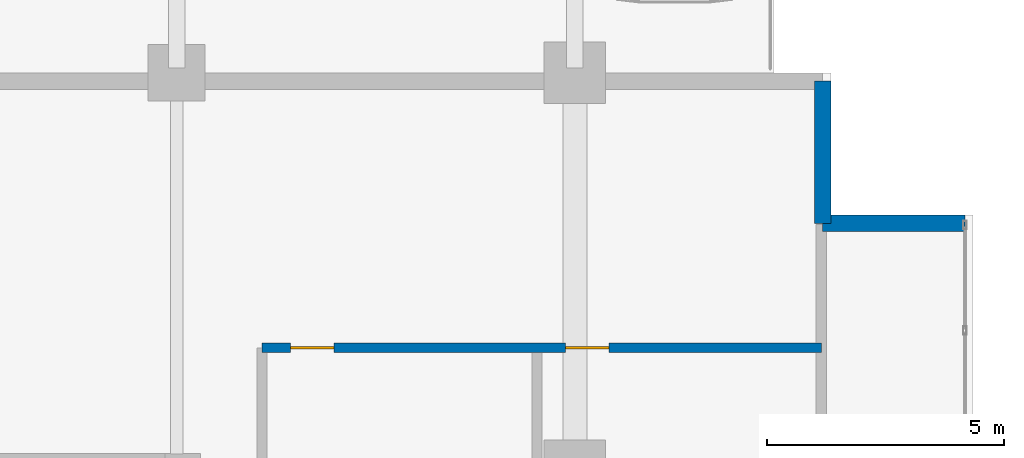
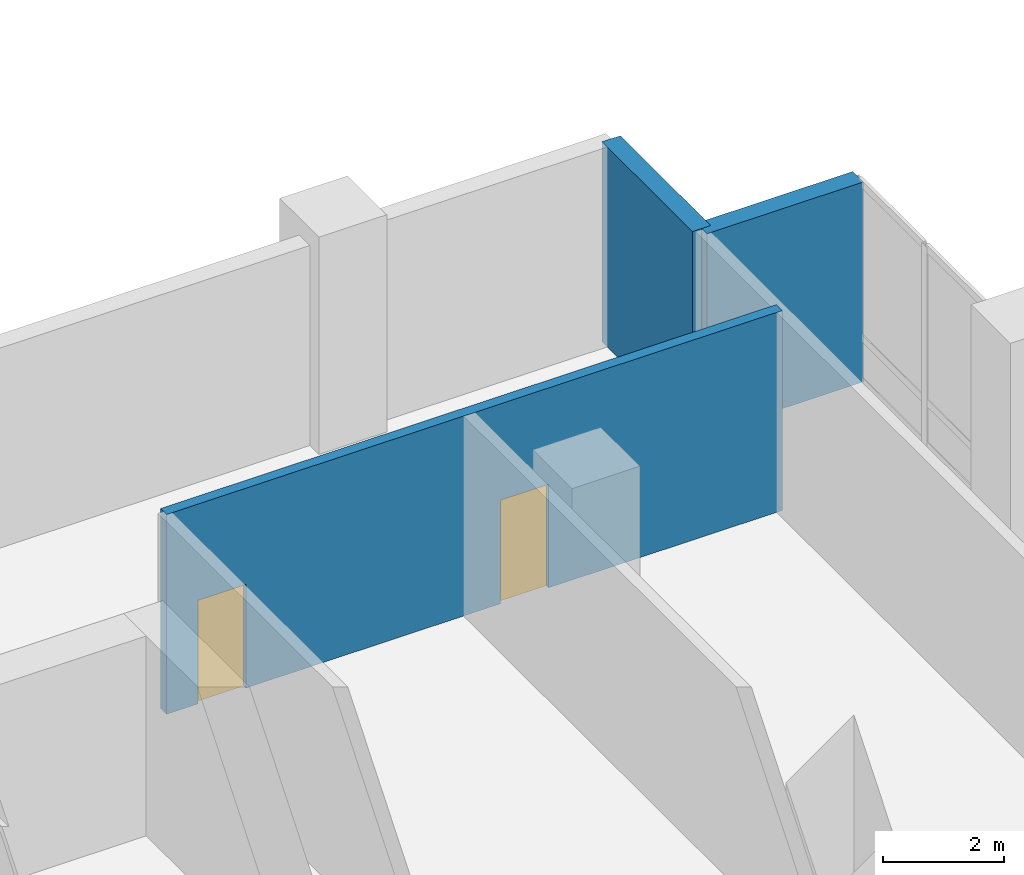
# One storey, part 17 of 24: 3 walls, 2 doors, 2 openings.
"""IFC4 building model written with IfcOpenShell, lengths in metres."""

import ifcopenshell
import ifcopenshell.guid

model = None  # the IFC model being written
_history = None  # IfcOwnerHistory: only IFC2X3 demands one
_inside = {}  # id of a spatial element -> (the spatial element, [elements in it])
_under = {}  # id of a project, library or spatial element -> (it, [spatial elements below it])
_declared = {}  # id of a project -> (the project, [libraries it declares])
_typed = {}  # id of a type object -> (the type object, [elements of that type])
_made_of = {}  # id of a material, layer set ... -> (it, [elements and type objects made of it])


def new_model(schema):
    """Start an empty IFC model of exactly this schema.

    Asked for "IFC4X3", IfcOpenShell would pick the latest addendum, in which some entities
    have other attributes; the version numbers below select the first issue.
    IFC2X3 requires an IfcOwnerHistory on every rooted entity: one is made here for all.
    """
    global model, _history
    if schema == "IFC4X3":
        model = ifcopenshell.file(schema_version=(4, 3, 0, 0))
    else:
        model = ifcopenshell.file(schema=schema)
    _inside.clear()
    _under.clear()
    _declared.clear()
    _typed.clear()
    _made_of.clear()
    _history = None
    if model.schema == "IFC2X3":
        org = make("IfcOrganization", Name="unknown")
        user = make(
            "IfcPersonAndOrganization",
            ThePerson=make("IfcPerson", FamilyName="unknown"),
            TheOrganization=org,
        )
        app = make(
            "IfcApplication",
            ApplicationDeveloper=org,
            Version="unknown",
            ApplicationFullName="unknown",
            ApplicationIdentifier="unknown",
        )
        _history = make(
            "IfcOwnerHistory",
            OwningUser=user,
            OwningApplication=app,
            ChangeAction="ADDED",
            CreationDate=0,
        )
    return model


def make(cls, **values):
    """One entity of the class cls with the attributes given. An attribute that is None is left unset."""
    return model.create_entity(
        cls, **{name: value for name, value in values.items() if value is not None}
    )


def rooted(cls, **values):
    """An entity with a GlobalId (a new one), such as an element, a storey or a relation."""
    return make(cls, GlobalId=ifcopenshell.guid.new(), OwnerHistory=_history, **values)


def si_unit(unit_type, name, prefix=None):
    """IfcSIUnit, for example si_unit("LENGTHUNIT", "METRE", prefix="MILLI")."""
    return make("IfcSIUnit", UnitType=unit_type, Prefix=prefix, Name=name)


def assignment(units):
    """IfcUnitAssignment: the units of a project."""
    return None if units is None else make("IfcUnitAssignment", Units=units)


def point(xyz):
    """IfcCartesianPoint."""
    return None if xyz is None else make("IfcCartesianPoint", Coordinates=xyz)


def direction(xyz):
    """IfcDirection."""
    return None if xyz is None else make("IfcDirection", DirectionRatios=xyz)


def frame(location, z_axis=None, x_axis=None):
    """IfcAxis2Placement3D, a coordinate frame: its origin and axes. An axis left out is left unset."""
    return make(
        "IfcAxis2Placement3D",
        Location=point(location),
        Axis=direction(z_axis),
        RefDirection=direction(x_axis),
    )


def frame_2d(location, x_axis=None):
    """IfcAxis2Placement2D, a coordinate frame in the plane: its origin and x axis."""
    return make(
        "IfcAxis2Placement2D", Location=point(location), RefDirection=direction(x_axis)
    )


def origin():
    """The frame at (0, 0, 0) with its axes left unset."""
    return frame((0.0, 0.0, 0.0))


def place(relative_to, where):
    """IfcLocalPlacement: puts the frame where relative to a parent placement (None: the world)."""
    return make(
        "IfcLocalPlacement", PlacementRelTo=relative_to, RelativePlacement=where
    )


def context(
    kind, dimensions, precision=None, world=None, true_north=None, identifier=None
):
    """IfcGeometricRepresentationContext, for example the 3D "Model" context."""
    return make(
        "IfcGeometricRepresentationContext",
        ContextIdentifier=identifier,
        ContextType=kind,
        CoordinateSpaceDimension=dimensions,
        Precision=precision,
        WorldCoordinateSystem=world,
        TrueNorth=true_north,
    )


def subcontext(parent, identifier, kind, view, scale=None):
    """IfcGeometricRepresentationSubContext, for example "Body" below "Model"."""
    return make(
        "IfcGeometricRepresentationSubContext",
        ContextIdentifier=identifier,
        ContextType=kind,
        ParentContext=parent,
        TargetScale=scale,
        TargetView=view,
    )


def project(units=None, contexts=None):
    """IfcProject with its units and contexts."""
    return rooted(
        "IfcProject",
        Name="project",
        RepresentationContexts=contexts,
        UnitsInContext=assignment(units),
    )


def spatial(cls, under=None, at=None, **own):
    """A site, building, storey or space (cls), placed at a placement, below another one or the project."""
    s = rooted(cls, ObjectPlacement=at, **own)
    if under is not None:
        _under.setdefault(under.id(), (under, []))[1].append(s)
    return s


def profile(cls, at=None, kind="AREA", **sizes):
    """A parametric profile (cls). Its sizes go by their IFC names, for example OverallWidth=200.0."""
    return make(cls, ProfileType=kind, Position=at, **sizes)


def rectangle(**sizes):
    """IfcRectangleProfileDef."""
    return profile("IfcRectangleProfileDef", **sizes)


def extrude(swept, where, along, depth):
    """IfcExtrudedAreaSolid: the profile swept, set in the frame where, extruded along a direction by depth."""
    return make(
        "IfcExtrudedAreaSolid",
        SweptArea=swept,
        Position=where,
        ExtrudedDirection=direction(along),
        Depth=depth,
    )


def shape(context_of_items, identifier, shape_type, items):
    """IfcShapeRepresentation: the items that make up one representation, for example the "Body"."""
    return make(
        "IfcShapeRepresentation",
        ContextOfItems=context_of_items,
        RepresentationIdentifier=identifier,
        RepresentationType=shape_type,
        Items=items,
    )


def material(Name=None, Category=None):
    """IfcMaterial."""
    return make("IfcMaterial", Name=Name, Category=Category)


def layer(
    of_material, thickness, ventilated=None, Name=None, Category=None, Priority=None
):
    """IfcMaterialLayer: one layer of a wall or slab, of a material (None: an air gap)."""
    return make(
        "IfcMaterialLayer",
        Material=of_material,
        LayerThickness=thickness,
        IsVentilated=ventilated,
        Name=Name,
        Category=Category,
        Priority=Priority,
    )


def layer_set(layers, Name=None):
    """IfcMaterialLayerSet."""
    return make("IfcMaterialLayerSet", MaterialLayers=layers, LayerSetName=Name)


def made_of(thing, what):
    """Note that an element or type object is made of a material, layer set ...; save() writes the relation."""
    if what is not None:
        _made_of.setdefault(what.id(), (what, []))[1].append(thing)
    return thing


def type_object(cls, material=None, **own):
    """A type object (cls), such as IfcWallType, which elements share."""
    return made_of(rooted(cls, **own), material)


def element(
    cls,
    number,
    at=None,
    inside=None,
    cuts=None,
    type_object=None,
    material=None,
    context=None,
    identifier="Body",
    shape_type=None,
    held_by="IfcProductDefinitionShape",
    body=None,
    shapes=None,
    **own,
):
    """One element of the class cls, such as IfcWall. Its Tag is "e" and its number.

    at: its placement. inside: the storey or other place that contains it. cuts: it is an
    opening in that element (IfcRelVoidsElement). A single representation is given by context,
    identifier, shape_type and body (its items); several are given by shapes. held_by: the class
    of the entity that holds the representations. save() writes the other relations.
    """
    e = rooted(cls, Tag="e%d" % number, ObjectPlacement=at, **own)
    if body is not None:
        shapes = [shape(context, identifier, shape_type, body)]
    if shapes is not None:
        e.Representation = make(held_by, Representations=shapes)
    if inside is not None:
        _inside.setdefault(inside.id(), (inside, []))[1].append(e)
    if cuts is not None:
        rooted(
            "IfcRelVoidsElement", RelatingBuildingElement=cuts, RelatedOpeningElement=e
        )
    if type_object is not None:
        _typed.setdefault(type_object.id(), (type_object, []))[1].append(e)
    return made_of(e, material)


def fill(opening, filler):
    """IfcRelFillsElement: the door or window that sits in an opening."""
    return rooted(
        "IfcRelFillsElement",
        RelatingOpeningElement=opening,
        RelatedBuildingElement=filler,
    )


def aggregate(whole, parts):
    """IfcRelAggregates: a whole, such as a stair, and the parts it consists of."""
    return rooted("IfcRelAggregates", RelatingObject=whole, RelatedObjects=parts)


def save(model, path):
    """Write the relations noted so far, then the file.

    IfcRelAggregates (storeys below a building ...), IfcRelContainedInSpatialStructure (elements
    in a storey), IfcRelDefinesByType, IfcRelAssociatesMaterial and IfcRelDeclares: one each for
    every whole, place, type object, material and project.
    """
    for whole, parts in _under.values():
        aggregate(whole, parts)
    for where, things in _inside.values():
        rooted(
            "IfcRelContainedInSpatialStructure",
            RelatedElements=things,
            RelatingStructure=where,
        )
    for kind, things in _typed.values():
        rooted("IfcRelDefinesByType", RelatedObjects=things, RelatingType=kind)
    for what, things in _made_of.values():
        rooted("IfcRelAssociatesMaterial", RelatedObjects=things, RelatingMaterial=what)
    for by, libraries in _declared.values():
        rooted("IfcRelDeclares", RelatingContext=by, RelatedDefinitions=libraries)
    model.write(path)


model = new_model("IFC4")

# Units and contexts
model_context = context("Model", 3, precision=1e-05, world=origin(), true_north=direction((0.0, 1.0)))
body_context = subcontext(model_context, "Body", "Model", "MODEL_VIEW")
ifc_project = project(units=[si_unit("LENGTHUNIT", "METRE"), si_unit("AREAUNIT", "SQUARE_METRE"), si_unit("VOLUMEUNIT", "CUBIC_METRE"), si_unit("PLANEANGLEUNIT", "RADIAN"), si_unit("MASSUNIT", "GRAM", prefix="KILO")], contexts=[model_context])

# Site, building, storey
site_placement = place(None, origin())
site = spatial("IfcSite", under=ifc_project, at=site_placement, CompositionType="ELEMENT")
building_placement = place(site_placement, origin())
building = spatial("IfcBuilding", under=site, at=building_placement, Name="Koriwani Terraces Tower", CompositionType="ELEMENT")
storey_placement = place(building_placement, frame((0.0, 0.0, 89.60009765625)))
storey = spatial("IfcBuildingStorey", under=building, at=storey_placement, Name="L21", CompositionType="ELEMENT", Elevation=89.60009765625)

# Wall, openings, doors
ifc_material_1 = material(Name="Autoclaved Cellular Concrete Blockwork", Category="masonry")
ifc_layer_1 = layer(ifc_material_1, 0.199951171875, Name="Autoclaved Cellular Concrete Blockwork")
ifc_layer_set_1 = layer_set([ifc_layer_1], Name="Autoclaved Cellular Concrete Blockwork")
wall_type_1 = type_object("IfcWallType", Name="WALL_CORRIDOR_200", PredefinedType="PARTITIONING", material=ifc_layer_set_1)
wall_placement = place(storey_placement, frame((60.60009765625, 27.800048828125, 0.0), z_axis=(0.0, 0.0, 1.0), x_axis=(1.0, 0.0, 0.0)))
wall = element("IfcWall", 1, at=wall_placement, inside=storey, type_object=wall_type_1, Name="L21 Interior Wall WSKY-E1-L21", PredefinedType="PARTITIONING", context=body_context, shape_type="SweptSolid", body=[
    extrude(rectangle(XDim=11.7998046875, YDim=0.199951171875, at=frame_2d((5.89990234375, 0.0))), origin(), (0.0, 0.0, 1.0), 4.0498046875),
])
opening_1_placement = place(wall_placement, frame((0.60009765625, 0.0, 0.0)))
opening_1 = element("IfcOpeningElement", 2, at=opening_1_placement, cuts=wall, Name="Opening D-06", PredefinedType="OPENING", context=body_context, shape_type="SweptSolid", body=[
    extrude(rectangle(XDim=0.919921875, YDim=2.10009765625, at=frame_2d((0.4599609375, 1.050048828125))), frame((0.0, 0.10986328125, 0.0), z_axis=(0.0, -1.0, 0.0), x_axis=(1.0, 0.0, 0.0)), (0.0, 0.0, 1.0), 0.219970703125),
])
opening_2_placement = place(wall_placement, frame((6.39990234375, 0.0, 0.0)))
opening_2 = element("IfcOpeningElement", 3, at=opening_2_placement, cuts=wall, Name="Opening D-06", PredefinedType="OPENING", context=body_context, shape_type="SweptSolid", body=[
    extrude(rectangle(XDim=0.919921875, YDim=2.10009765625, at=frame_2d((0.4599609375, 1.050048828125))), frame((0.0, 0.10986328125, 0.0), z_axis=(0.0, -1.0, 0.0), x_axis=(1.0, 0.0, 0.0)), (0.0, 0.0, 1.0), 0.219970703125),
])
ifc_material_2 = material(Name="Architectural Oak Fire Door", Category="wood")
door_type = type_object("IfcDoorType", Name="DOOR_ROOM_INT_920X2100", OperationType="NOTDEFINED", PredefinedType="DOOR", material=ifc_material_2)
door_1_placement = place(opening_1_placement, origin())
door_1 = element("IfcDoor", 4, at=door_1_placement, inside=storey, type_object=door_type, Name="L21 South Panorama Lounge Door", OperationType="SINGLE_SWING_LEFT", OverallHeight=2.10009765625, OverallWidth=0.919921875, PredefinedType="DOOR", context=body_context, shape_type="SweptSolid", body=[
    extrude(rectangle(XDim=0.919921875, YDim=2.10009765625, at=frame_2d((0.4599609375, 1.050048828125))), frame((0.0, 0.02490234375, 0.0), z_axis=(0.0, -1.0, 0.0), x_axis=(1.0, 0.0, 0.0)), (0.0, 0.0, 1.0), 0.050048828125),
])
fill(opening_1, door_1)
door_2_placement = place(opening_2_placement, origin())
door_2 = element("IfcDoor", 5, at=door_2_placement, inside=storey, type_object=door_type, Name="L21 Sky Garden Restaurant Door", OperationType="SINGLE_SWING_RIGHT", OverallHeight=2.10009765625, OverallWidth=0.919921875, PredefinedType="DOOR", context=body_context, shape_type="SweptSolid", body=[
    extrude(rectangle(XDim=0.919921875, YDim=2.10009765625, at=frame_2d((0.4599609375, 1.050048828125))), frame((0.0, 0.02490234375, 0.0), z_axis=(0.0, -1.0, 0.0), x_axis=(1.0, 0.0, 0.0)), (0.0, 0.0, 1.0), 0.050048828125),
])
fill(opening_2, door_2)

# Walls
ifc_material_3 = material(Name="Concrete C50/60", Category="concrete")
ifc_layer_2 = layer(ifc_material_3, 0.35009765625, Name="Concrete C50/60")
ifc_layer_set_2 = layer_set([ifc_layer_2], Name="Concrete C50/60")
wall_type_2 = type_object("IfcWallType", Name="WALL_EXT_BRUTALIST_350", PredefinedType="STANDARD", material=ifc_layer_set_2)
for number, where, z_axis, x_axis, name in (
    (6, (72.425048828125, 33.425048828125, 0.0), (0.0, 0.0, 1.0), (0.0, -1.0, 0.0), "L21 Fair-Faced Brutalist Exterior Wall (N10)"),
    (7, (72.425048828125, 30.425048828125, 0.0), (0.0, 0.0, 1.0), (1.0, 0.0, 0.0), "L21 Fair-Faced Brutalist Exterior Wall (N11)"),
):
    element("IfcWall", number, at=place(storey_placement, frame(where, z_axis=z_axis, x_axis=x_axis)), inside=storey, type_object=wall_type_2, Name=name, PredefinedType="STANDARD", context=body_context, shape_type="SweptSolid", body=[
        extrude(rectangle(XDim=3.0, YDim=0.35009765625, at=frame_2d((1.5, 0.0))), origin(), (0.0, 0.0, 1.0), 4.0498046875),
    ])

save(model, "model.ifc")
